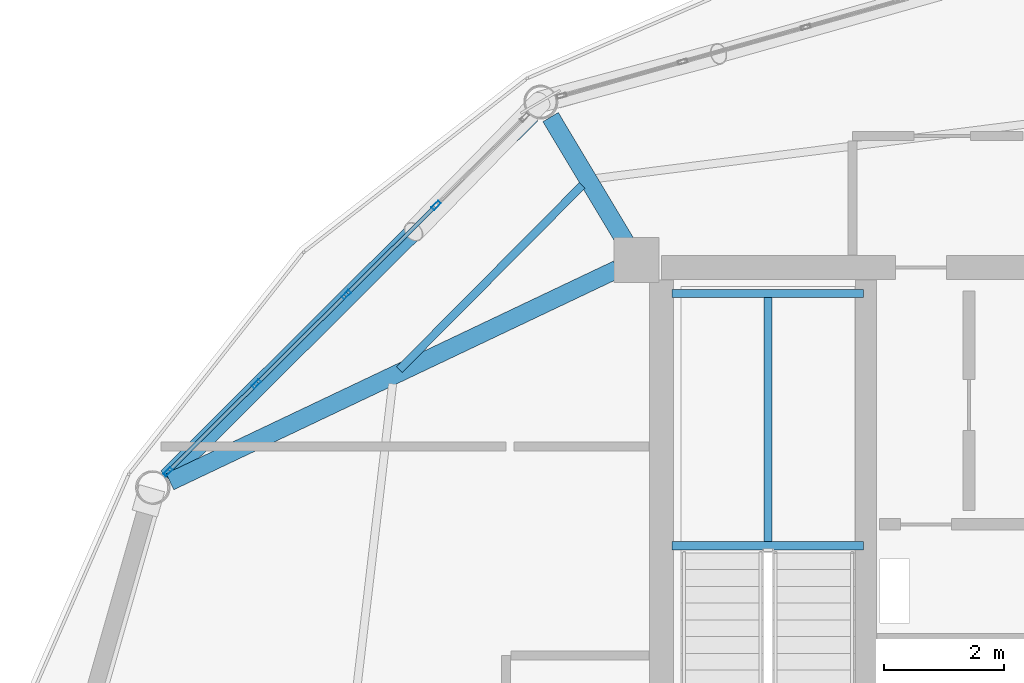
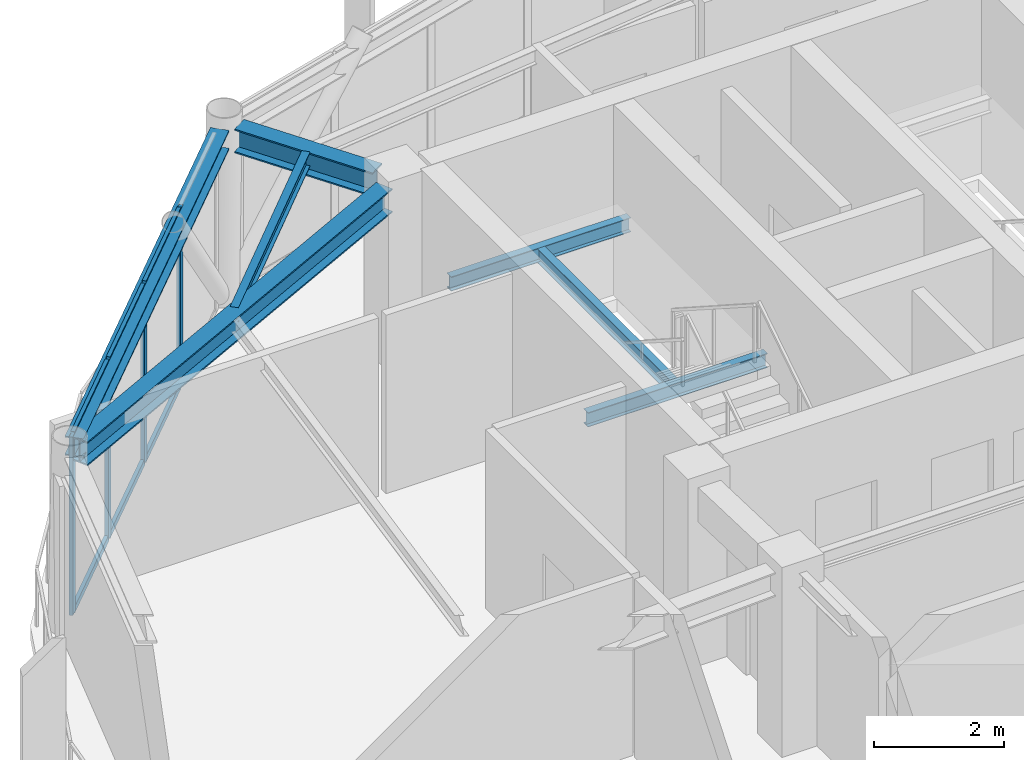
# One storey, part 11 of 24: 10 members, 7 beams, 1 element without a shape of its own.
"""IFC4 building model written with IfcOpenShell, lengths in metres."""

from ifc_helpers import new_model, si_unit, direction, frame, origin, origin_2d, place, context, subcontext, project, spatial, hollow_rectangle, i_section, extrude, material, layer, layer_set, material_profile, profile_set, type_object, element, aggregate, save


model = new_model("IFC4")

# Units and contexts
model_context = context("Model", 3, precision=1e-05, world=origin(), true_north=direction((0.0, 1.0)))
body_context = subcontext(model_context, "Body", "Model", "MODEL_VIEW")
ifc_project = project(units=[si_unit("LENGTHUNIT", "METRE"), si_unit("AREAUNIT", "SQUARE_METRE"), si_unit("VOLUMEUNIT", "CUBIC_METRE"), si_unit("PLANEANGLEUNIT", "RADIAN"), si_unit("MASSUNIT", "GRAM", prefix="KILO")], contexts=[model_context])

# Site, building, storey
site_placement = place(None, origin())
site = spatial("IfcSite", under=ifc_project, at=site_placement, CompositionType="ELEMENT")
building_placement = place(site_placement, origin())
building = spatial("IfcBuilding", under=site, at=building_placement, Name="Varnakorn Sky Granary", CompositionType="ELEMENT")
storey_placement = place(building_placement, frame((0.0, 0.0, 281.39990234375)))
storey = spatial("IfcBuildingStorey", under=building, at=storey_placement, Name="L72", CompositionType="ELEMENT", Elevation=281.39990234375)

# Beams
ifc_material_1 = material(Name="Steel S355JR", Category="steel")
ifc_material_profile_1 = material_profile(ifc_material_1, i_section(OverallWidth=0.135009765625, OverallDepth=0.27001953125, WebThickness=0.006591796875, FlangeThickness=0.01025390625, at=origin_2d()), Name="IPE 270")
ifc_profile_set_1 = profile_set([ifc_material_profile_1], Name="Steel S355JR")
beam_type_1 = type_object("IfcBeamType", Name="BM-LND-270", PredefinedType="BEAM", material=ifc_profile_set_1)
for number, where, z_axis, x_axis, name in (
    (1, (-1.820068359375, 7.840087890625, 1.465087890625), (1.0, 0.0, 0.0), (0.0, 1.0, 0.0), "Stair ST-1 Landing Trimmer Beam A L72-1"),
    (2, (-1.820068359375, 12.06005859375, 1.465087890625), (1.0, 0.0, 0.0), (0.0, 1.0, 0.0), "Stair ST-1 Landing Trimmer Beam B L72-1"),
):
    element("IfcBeam", number, at=place(storey_placement, frame(where, z_axis=z_axis, x_axis=x_axis)), inside=storey, type_object=beam_type_1, Name=name, PredefinedType="BEAM", context=body_context, shape_type="SweptSolid", body=[
        extrude(i_section(OverallWidth=0.135009765625, OverallDepth=0.27001953125, WebThickness=0.006591796875, FlangeThickness=0.01025390625, at=origin_2d()), origin(), (0.0, 0.0, 1.0), 3.199951171875),
    ])
beam_1_placement = place(storey_placement, frame((-0.219970703125, 7.840087890625, 1.465087890625), z_axis=(0.0, 1.0, 0.0), x_axis=(-1.0, 0.0, 0.0)))
element("IfcBeam", 3, at=beam_1_placement, inside=storey, type_object=beam_type_1, Name="Stair ST-1 Landing Cross Beam C L72-1", PredefinedType="BEAM", context=body_context, shape_type="SweptSolid", body=[
    extrude(i_section(OverallWidth=0.135009765625, OverallDepth=0.27001953125, WebThickness=0.006591796875, FlangeThickness=0.01025390625, at=origin_2d()), origin(), (0.0, 0.0, 1.0), 4.219970703125),
])
ifc_material_profile_2 = material_profile(ifc_material_1, i_section(OverallWidth=0.300048828125, OverallDepth=0.449951171875, WebThickness=0.013916015625, FlangeThickness=0.02587890625, at=origin_2d()), Name="HE 450 B")
ifc_profile_set_2 = profile_set([ifc_material_profile_2], Name="Steel S355JR")
beam_type_2 = type_object("IfcBeamType", Name="BM-RAD-Z5", PredefinedType="BEAM", material=ifc_profile_set_2)
beam_2_placement = place(storey_placement, frame((-2.6025390625, 12.924560546875, 3.135009765625), z_axis=(-0.5142010337, 0.857669689882, 0.0), x_axis=(-0.857669689882, -0.5142010337, 0.0)))
element("IfcBeam", 4, at=beam_2_placement, inside=storey, type_object=beam_type_2, Name="Radial Floor Girder RG05 L72", PredefinedType="BEAM", context=body_context, shape_type="SweptSolid", body=[
    extrude(i_section(OverallWidth=0.300048828125, OverallDepth=0.449951171875, WebThickness=0.013916015625, FlangeThickness=0.02587890625, at=origin_2d()), origin(), (0.0, 0.0, 1.0), 2.436767578125),
])
beam_3_placement = place(storey_placement, frame((-2.74072265625, 12.4677734375, 3.135009765625), z_axis=(-0.903295774878, -0.429018348194, 0.0), x_axis=(0.429018348194, -0.903295774878, 0.0)))
element("IfcBeam", 5, at=beam_3_placement, inside=storey, type_object=beam_type_2, Name="Radial Floor Girder RG06 L72", PredefinedType="BEAM", context=body_context, shape_type="SweptSolid", body=[
    extrude(i_section(OverallWidth=0.300048828125, OverallDepth=0.449951171875, WebThickness=0.013916015625, FlangeThickness=0.02587890625, at=origin_2d()), origin(), (0.0, 0.0, 1.0), 8.28564453125),
])
ifc_material_profile_3 = material_profile(ifc_material_1, i_section(OverallWidth=0.135009765625, OverallDepth=0.27001953125, WebThickness=0.006591796875, FlangeThickness=0.01025390625, at=origin_2d()), Name="IPE 270")
ifc_profile_set_3 = profile_set([ifc_material_profile_3], Name="Steel S355JR")
beam_type_3 = type_object("IfcBeamType", Name="BM-SEC-Z5", PredefinedType="BEAM", material=ifc_profile_set_3)
beam_4_placement = place(storey_placement, frame((-3.32763671875, 13.8701171875, 3.22509765625), z_axis=(-0.70437291542, -0.70983011772, 0.0), x_axis=(0.70983011772, -0.70437291542, 0.0)))
element("IfcBeam", 6, at=beam_4_placement, inside=storey, type_object=beam_type_3, Name="Secondary Floor Chord Beam MSB05 L72", PredefinedType="BEAM", context=body_context, shape_type="SweptSolid", body=[
    extrude(i_section(OverallWidth=0.135009765625, OverallDepth=0.27001953125, WebThickness=0.006591796875, FlangeThickness=0.01025390625, at=origin_2d()), origin(), (0.0, 0.0, 1.0), 4.339599609375),
])
ifc_material_profile_4 = material_profile(ifc_material_1, i_section(OverallWidth=0.300048828125, OverallDepth=0.360107421875, WebThickness=0.012451171875, FlangeThickness=0.0224609375, at=origin_2d()), Name="HE 360 B")
ifc_profile_set_4 = profile_set([ifc_material_profile_4], Name="Steel S355JR")
beam_type_4 = type_object("IfcBeamType", Name="BM-SPD-Z5", PredefinedType="SPANDREL", material=ifc_profile_set_4)
beam_5_placement = place(storey_placement, frame((-4.178955078125, 15.0546875, 3.18017578125), z_axis=(-0.708779192031, -0.705430405458, 0.0), x_axis=(0.705430405458, -0.708779192031, 0.0)))
element("IfcBeam", 7, at=beam_5_placement, inside=storey, type_object=beam_type_4, Name="Perimeter Spandrel Ring Beam RB05 L72", PredefinedType="SPANDREL", context=body_context, shape_type="SweptSolid", body=[
    extrude(i_section(OverallWidth=0.300048828125, OverallDepth=0.360107421875, WebThickness=0.012451171875, FlangeThickness=0.0224609375, at=origin_2d()), origin(), (0.0, 0.0, 1.0), 8.602783203125),
])

# Curtain wall, members
ifc_material_2 = material(Name="Anodised Bronze Aluminium Alloy 6063-T6", Category="aluminium")
ifc_layer = layer(ifc_material_2, 0.159912109375, Name="Anodised Bronze Aluminium Alloy 6063-T6")
ifc_layer_set = layer_set([ifc_layer], Name="Anodised Bronze Aluminium Alloy 6063-T6")
curtain_wall_type = type_object("IfcCurtainWallType", Name="CW-OFF-1", PredefinedType="USERDEFINED", material=ifc_layer_set)
curtain_wall_placement = place(storey_placement, origin())
curtain_wall = element("IfcCurtainWall", 8, at=curtain_wall_placement, inside=storey, type_object=curtain_wall_type, Name="Unitised Curtain Wall CW6 CW-L72-B05", ObjectType="CURTAIN WALL", PredefinedType="USERDEFINED")
ifc_material_profile_5 = material_profile(ifc_material_2, hollow_rectangle(XDim=0.06494140625, YDim=0.159912109375, WallThickness=0.00341796875, at=origin_2d()), Name="ALU MULL 65x160")
ifc_profile_set_5 = profile_set([ifc_material_profile_5], Name="Anodised Bronze Aluminium Alloy 6063-T6")
member_type_1 = type_object("IfcMemberType", Name="CW-OFF-1-MULL", PredefinedType="MULLION", material=ifc_profile_set_5)
member_1_placement = place(storey_placement, frame((-10.258056640625, 9.07861328125, 0.0), z_axis=(0.0, 0.0, 1.0), x_axis=(-0.704761759046, 0.709444052048, 0.0)))
member_1 = element("IfcMember", 9, at=member_1_placement, type_object=member_type_1, Name="CW6 mullion 1", PredefinedType="MULLION", context=body_context, shape_type="SweptSolid", body=[
    extrude(hollow_rectangle(XDim=0.06494140625, YDim=0.159912109375, WallThickness=0.00341796875, at=origin_2d()), origin(), (0.0, 0.0, 1.0), 3.360107421875),
])
member_2_placement = place(storey_placement, frame((-8.77734375, 10.549560546875, 0.0), z_axis=(0.0, 0.0, 1.0), x_axis=(-0.704761759046, 0.709444052048, 0.0)))
member_2 = element("IfcMember", 10, at=member_2_placement, type_object=member_type_1, Name="CW6 mullion 2", PredefinedType="MULLION", context=body_context, shape_type="SweptSolid", body=[
    extrude(hollow_rectangle(XDim=0.06494140625, YDim=0.159912109375, WallThickness=0.00341796875, at=origin_2d()), origin(), (0.0, 0.0, 1.0), 3.360107421875),
])
member_3_placement = place(storey_placement, frame((-7.2734375, 12.04345703125, 0.0), z_axis=(0.0, 0.0, 1.0), x_axis=(-0.704761759046, 0.709444052048, 0.0)))
member_3 = element("IfcMember", 11, at=member_3_placement, type_object=member_type_1, Name="CW6 mullion 3", PredefinedType="MULLION", context=body_context, shape_type="SweptSolid", body=[
    extrude(hollow_rectangle(XDim=0.06494140625, YDim=0.159912109375, WallThickness=0.00341796875, at=origin_2d()), origin(), (0.0, 0.0, 1.0), 3.360107421875),
])
member_4_placement = place(storey_placement, frame((-5.769775390625, 13.537353515625, 0.0), z_axis=(0.0, 0.0, 1.0), x_axis=(-0.704761759046, 0.709444052048, 0.0)))
member_4 = element("IfcMember", 12, at=member_4_placement, type_object=member_type_1, Name="CW6 mullion 4", PredefinedType="MULLION", context=body_context, shape_type="SweptSolid", body=[
    extrude(hollow_rectangle(XDim=0.06494140625, YDim=0.159912109375, WallThickness=0.00341796875, at=origin_2d()), origin(), (0.0, 0.0, 1.0), 3.360107421875),
])
ifc_material_profile_6 = material_profile(ifc_material_2, hollow_rectangle(XDim=0.06494140625, YDim=0.1201171875, WallThickness=0.00341796875, at=origin_2d()), Name="ALU TRAN 65x120")
ifc_profile_set_6 = profile_set([ifc_material_profile_6], Name="Anodised Bronze Aluminium Alloy 6063-T6")
member_type_2 = type_object("IfcMemberType", Name="CW-OFF-1-TRAN", PredefinedType="USERDEFINED", material=ifc_profile_set_6)
member_5_placement = place(storey_placement, frame((-10.235107421875, 9.1015625, 0.03271484375), z_axis=(0.709456854507, 0.704748871296, 0.0), x_axis=(-0.704748871296, 0.709456854507, 0.0)))
member_5 = element("IfcMember", 13, at=member_5_placement, type_object=member_type_2, Name="CW6 transom 1.1", ObjectType="TRANSOM", PredefinedType="USERDEFINED", context=body_context, shape_type="SweptSolid", body=[
    extrude(hollow_rectangle(XDim=0.06494140625, YDim=0.1201171875, WallThickness=0.00341796875, at=origin_2d()), origin(), (0.0, 0.0, 1.0), 2.0224609375),
])
member_6_placement = place(storey_placement, frame((-10.235107421875, 9.1015625, 3.32763671875), z_axis=(0.709456854507, 0.704748871296, 0.0), x_axis=(-0.704748871296, 0.709456854507, 0.0)))
member_6 = element("IfcMember", 14, at=member_6_placement, type_object=member_type_2, Name="CW6 transom 1.2", ObjectType="TRANSOM", PredefinedType="USERDEFINED", context=body_context, shape_type="SweptSolid", body=[
    extrude(hollow_rectangle(XDim=0.06494140625, YDim=0.1201171875, WallThickness=0.00341796875, at=origin_2d()), origin(), (0.0, 0.0, 1.0), 2.0224609375),
])
member_7_placement = place(storey_placement, frame((-8.754150390625, 10.572509765625, 0.03271484375), z_axis=(0.709360774339, 0.70484558013, 0.0), x_axis=(-0.70484558013, 0.709360774339, 0.0)))
member_7 = element("IfcMember", 15, at=member_7_placement, type_object=member_type_2, Name="CW6 transom 2.1", ObjectType="TRANSOM", PredefinedType="USERDEFINED", context=body_context, shape_type="SweptSolid", body=[
    extrude(hollow_rectangle(XDim=0.06494140625, YDim=0.1201171875, WallThickness=0.00341796875, at=origin_2d()), origin(), (0.0, 0.0, 1.0), 2.0546875),
])
member_8_placement = place(storey_placement, frame((-8.754150390625, 10.572509765625, 3.32763671875), z_axis=(0.709360774339, 0.70484558013, 0.0), x_axis=(-0.70484558013, 0.709360774339, 0.0)))
member_8 = element("IfcMember", 16, at=member_8_placement, type_object=member_type_2, Name="CW6 transom 2.2", ObjectType="TRANSOM", PredefinedType="USERDEFINED", context=body_context, shape_type="SweptSolid", body=[
    extrude(hollow_rectangle(XDim=0.06494140625, YDim=0.1201171875, WallThickness=0.00341796875, at=origin_2d()), origin(), (0.0, 0.0, 1.0), 2.0546875),
])
member_9_placement = place(storey_placement, frame((-7.25048828125, 12.06640625, 0.03271484375), z_axis=(0.709479204587, 0.704726371195, 0.0), x_axis=(-0.704726371195, 0.709479204587, 0.0)))
member_9 = element("IfcMember", 17, at=member_9_placement, type_object=member_type_2, Name="CW6 transom 3.1", ObjectType="TRANSOM", PredefinedType="USERDEFINED", context=body_context, shape_type="SweptSolid", body=[
    extrude(hollow_rectangle(XDim=0.06494140625, YDim=0.1201171875, WallThickness=0.00341796875, at=origin_2d()), origin(), (0.0, 0.0, 1.0), 2.0546875),
])
member_10_placement = place(storey_placement, frame((-7.25048828125, 12.06640625, 3.32763671875), z_axis=(0.709479204587, 0.704726371195, 0.0), x_axis=(-0.704726371195, 0.709479204587, 0.0)))
member_10 = element("IfcMember", 18, at=member_10_placement, type_object=member_type_2, Name="CW6 transom 3.2", ObjectType="TRANSOM", PredefinedType="USERDEFINED", context=body_context, shape_type="SweptSolid", body=[
    extrude(hollow_rectangle(XDim=0.06494140625, YDim=0.1201171875, WallThickness=0.00341796875, at=origin_2d()), origin(), (0.0, 0.0, 1.0), 2.0546875),
])
aggregate(curtain_wall, [member_1, member_2, member_3, member_4, member_5, member_6, member_7, member_8, member_9, member_10])

save(model, "model.ifc")
